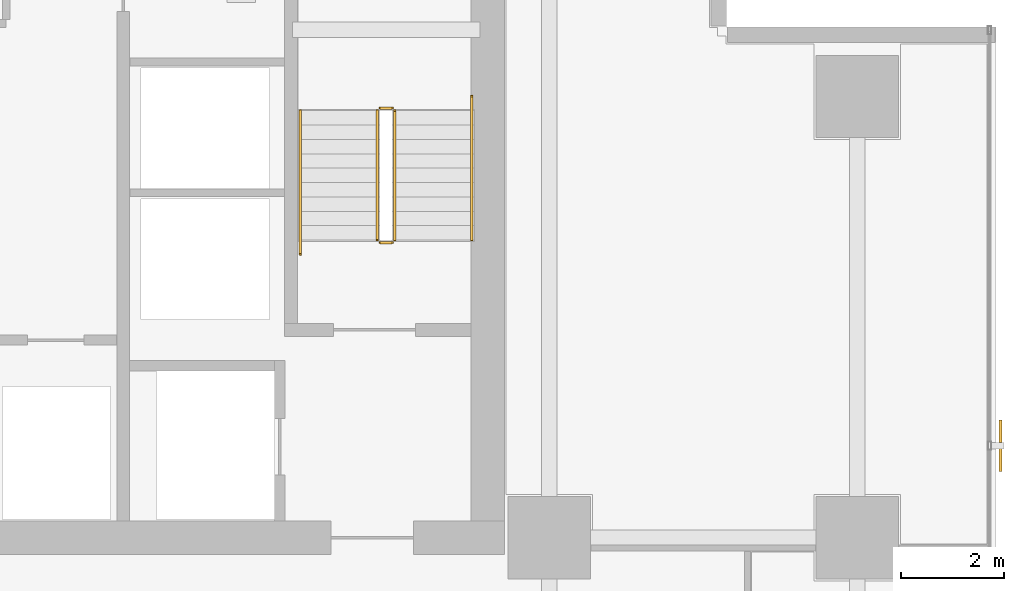
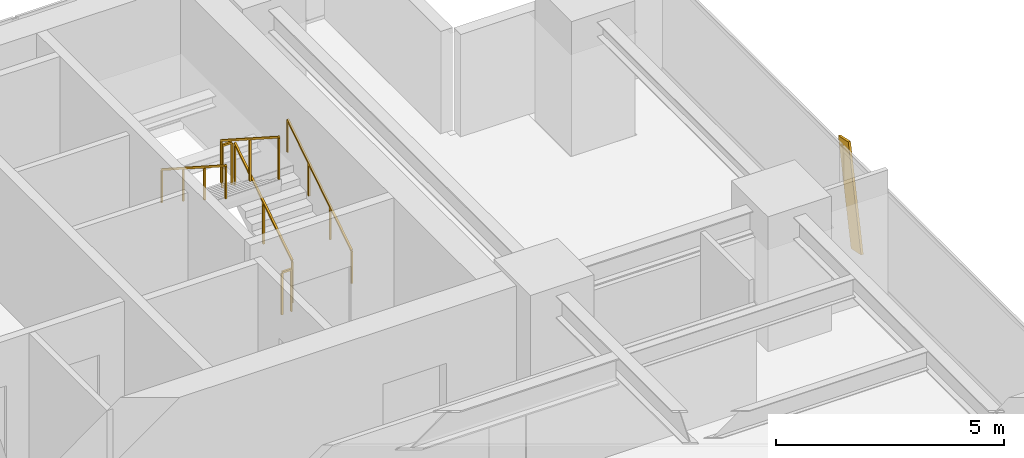
# One storey, part 36 of 37: 6 railings, 1 shading device.
"""IFC4 building model written with IfcOpenShell, lengths in metres."""

import ifcopenshell
import ifcopenshell.guid

model = None  # the IFC model being written
_history = None  # IfcOwnerHistory: only IFC2X3 demands one
_inside = {}  # id of a spatial element -> (the spatial element, [elements in it])
_under = {}  # id of a project, library or spatial element -> (it, [spatial elements below it])
_declared = {}  # id of a project -> (the project, [libraries it declares])
_typed = {}  # id of a type object -> (the type object, [elements of that type])
_made_of = {}  # id of a material, layer set ... -> (it, [elements and type objects made of it])


def new_model(schema):
    """Start an empty IFC model of exactly this schema.

    Asked for "IFC4X3", IfcOpenShell would pick the latest addendum, in which some entities
    have other attributes; the version numbers below select the first issue.
    IFC2X3 requires an IfcOwnerHistory on every rooted entity: one is made here for all.
    """
    global model, _history
    if schema == "IFC4X3":
        model = ifcopenshell.file(schema_version=(4, 3, 0, 0))
    else:
        model = ifcopenshell.file(schema=schema)
    _inside.clear()
    _under.clear()
    _declared.clear()
    _typed.clear()
    _made_of.clear()
    _history = None
    if model.schema == "IFC2X3":
        org = make("IfcOrganization", Name="unknown")
        user = make(
            "IfcPersonAndOrganization",
            ThePerson=make("IfcPerson", FamilyName="unknown"),
            TheOrganization=org,
        )
        app = make(
            "IfcApplication",
            ApplicationDeveloper=org,
            Version="unknown",
            ApplicationFullName="unknown",
            ApplicationIdentifier="unknown",
        )
        _history = make(
            "IfcOwnerHistory",
            OwningUser=user,
            OwningApplication=app,
            ChangeAction="ADDED",
            CreationDate=0,
        )
    return model


def make(cls, **values):
    """One entity of the class cls with the attributes given. An attribute that is None is left unset."""
    return model.create_entity(
        cls, **{name: value for name, value in values.items() if value is not None}
    )


def rooted(cls, **values):
    """An entity with a GlobalId (a new one), such as an element, a storey or a relation."""
    return make(cls, GlobalId=ifcopenshell.guid.new(), OwnerHistory=_history, **values)


def si_unit(unit_type, name, prefix=None):
    """IfcSIUnit, for example si_unit("LENGTHUNIT", "METRE", prefix="MILLI")."""
    return make("IfcSIUnit", UnitType=unit_type, Prefix=prefix, Name=name)


def assignment(units):
    """IfcUnitAssignment: the units of a project."""
    return None if units is None else make("IfcUnitAssignment", Units=units)


def point(xyz):
    """IfcCartesianPoint."""
    return None if xyz is None else make("IfcCartesianPoint", Coordinates=xyz)


def direction(xyz):
    """IfcDirection."""
    return None if xyz is None else make("IfcDirection", DirectionRatios=xyz)


def frame(location, z_axis=None, x_axis=None):
    """IfcAxis2Placement3D, a coordinate frame: its origin and axes. An axis left out is left unset."""
    return make(
        "IfcAxis2Placement3D",
        Location=point(location),
        Axis=direction(z_axis),
        RefDirection=direction(x_axis),
    )


def frame_2d(location, x_axis=None):
    """IfcAxis2Placement2D, a coordinate frame in the plane: its origin and x axis."""
    return make(
        "IfcAxis2Placement2D", Location=point(location), RefDirection=direction(x_axis)
    )


def origin():
    """The frame at (0, 0, 0) with its axes left unset."""
    return frame((0.0, 0.0, 0.0))


def origin_2d():
    """The frame at (0, 0) in the plane with its x axis left unset."""
    return frame_2d((0.0, 0.0))


def place(relative_to, where):
    """IfcLocalPlacement: puts the frame where relative to a parent placement (None: the world)."""
    return make(
        "IfcLocalPlacement", PlacementRelTo=relative_to, RelativePlacement=where
    )


def context(
    kind, dimensions, precision=None, world=None, true_north=None, identifier=None
):
    """IfcGeometricRepresentationContext, for example the 3D "Model" context."""
    return make(
        "IfcGeometricRepresentationContext",
        ContextIdentifier=identifier,
        ContextType=kind,
        CoordinateSpaceDimension=dimensions,
        Precision=precision,
        WorldCoordinateSystem=world,
        TrueNorth=true_north,
    )


def subcontext(parent, identifier, kind, view, scale=None):
    """IfcGeometricRepresentationSubContext, for example "Body" below "Model"."""
    return make(
        "IfcGeometricRepresentationSubContext",
        ContextIdentifier=identifier,
        ContextType=kind,
        ParentContext=parent,
        TargetScale=scale,
        TargetView=view,
    )


def project(units=None, contexts=None):
    """IfcProject with its units and contexts."""
    return rooted(
        "IfcProject",
        Name="project",
        RepresentationContexts=contexts,
        UnitsInContext=assignment(units),
    )


def spatial(cls, under=None, at=None, **own):
    """A site, building, storey or space (cls), placed at a placement, below another one or the project."""
    s = rooted(cls, ObjectPlacement=at, **own)
    if under is not None:
        _under.setdefault(under.id(), (under, []))[1].append(s)
    return s


def profile(cls, at=None, kind="AREA", **sizes):
    """A parametric profile (cls). Its sizes go by their IFC names, for example OverallWidth=200.0."""
    return make(cls, ProfileType=kind, Position=at, **sizes)


def rectangle(**sizes):
    """IfcRectangleProfileDef."""
    return profile("IfcRectangleProfileDef", **sizes)


def extrude(swept, where, along, depth):
    """IfcExtrudedAreaSolid: the profile swept, set in the frame where, extruded along a direction by depth."""
    return make(
        "IfcExtrudedAreaSolid",
        SweptArea=swept,
        Position=where,
        ExtrudedDirection=direction(along),
        Depth=depth,
    )


def shape(context_of_items, identifier, shape_type, items):
    """IfcShapeRepresentation: the items that make up one representation, for example the "Body"."""
    return make(
        "IfcShapeRepresentation",
        ContextOfItems=context_of_items,
        RepresentationIdentifier=identifier,
        RepresentationType=shape_type,
        Items=items,
    )


def source(mapping_origin, context_of_items, identifier, shape_type, items):
    """IfcRepresentationMap: a shape defined once, which mapped items show again and again."""
    return make(
        "IfcRepresentationMap",
        MappingOrigin=mapping_origin,
        MappedRepresentation=shape(context_of_items, identifier, shape_type, items),
    )


def transform(
    local_origin,
    x_axis=None,
    y_axis=None,
    z_axis=None,
    scale=None,
    scale2=None,
    scale3=None,
    uniform=True,
):
    """IfcCartesianTransformationOperator3D, or its non-uniform kind. x_axis, y_axis, z_axis: its Axis1, 2, 3."""
    if uniform:
        return make(
            "IfcCartesianTransformationOperator3D",
            Axis1=direction(x_axis),
            Axis2=direction(y_axis),
            LocalOrigin=point(local_origin),
            Scale=scale,
            Axis3=direction(z_axis),
        )
    return make(
        "IfcCartesianTransformationOperator3DnonUniform",
        Axis1=direction(x_axis),
        Axis2=direction(y_axis),
        LocalOrigin=point(local_origin),
        Scale=scale,
        Axis3=direction(z_axis),
        Scale2=scale2,
        Scale3=scale3,
    )


def mapped(mapping_source, mapping_target):
    """IfcMappedItem: shows the shape of a source again, moved by a transform."""
    return make(
        "IfcMappedItem", MappingSource=mapping_source, MappingTarget=mapping_target
    )


def material(Name=None, Category=None):
    """IfcMaterial."""
    return make("IfcMaterial", Name=Name, Category=Category)


def material_profile(
    of_material, cross_section, Name=None, Category=None, Priority=None
):
    """IfcMaterialProfile: a cross section and its material."""
    return make(
        "IfcMaterialProfile",
        Name=Name,
        Material=of_material,
        Profile=cross_section,
        Priority=Priority,
        Category=Category,
    )


def profile_set(profiles, Name=None, composite=None):
    """IfcMaterialProfileSet."""
    return make(
        "IfcMaterialProfileSet",
        Name=Name,
        MaterialProfiles=profiles,
        CompositeProfile=composite,
    )


def made_of(thing, what):
    """Note that an element or type object is made of a material, layer set ...; save() writes the relation."""
    if what is not None:
        _made_of.setdefault(what.id(), (what, []))[1].append(thing)
    return thing


def type_object(cls, material=None, **own):
    """A type object (cls), such as IfcWallType, which elements share."""
    return made_of(rooted(cls, **own), material)


def element(
    cls,
    number,
    at=None,
    inside=None,
    cuts=None,
    type_object=None,
    material=None,
    context=None,
    identifier="Body",
    shape_type=None,
    held_by="IfcProductDefinitionShape",
    body=None,
    shapes=None,
    **own,
):
    """One element of the class cls, such as IfcWall. Its Tag is "e" and its number.

    at: its placement. inside: the storey or other place that contains it. cuts: it is an
    opening in that element (IfcRelVoidsElement). A single representation is given by context,
    identifier, shape_type and body (its items); several are given by shapes. held_by: the class
    of the entity that holds the representations. save() writes the other relations.
    """
    e = rooted(cls, Tag="e%d" % number, ObjectPlacement=at, **own)
    if body is not None:
        shapes = [shape(context, identifier, shape_type, body)]
    if shapes is not None:
        e.Representation = make(held_by, Representations=shapes)
    if inside is not None:
        _inside.setdefault(inside.id(), (inside, []))[1].append(e)
    if cuts is not None:
        rooted(
            "IfcRelVoidsElement", RelatingBuildingElement=cuts, RelatedOpeningElement=e
        )
    if type_object is not None:
        _typed.setdefault(type_object.id(), (type_object, []))[1].append(e)
    return made_of(e, material)


def aggregate(whole, parts):
    """IfcRelAggregates: a whole, such as a stair, and the parts it consists of."""
    return rooted("IfcRelAggregates", RelatingObject=whole, RelatedObjects=parts)


def save(model, path):
    """Write the relations noted so far, then the file.

    IfcRelAggregates (storeys below a building ...), IfcRelContainedInSpatialStructure (elements
    in a storey), IfcRelDefinesByType, IfcRelAssociatesMaterial and IfcRelDeclares: one each for
    every whole, place, type object, material and project.
    """
    for whole, parts in _under.values():
        aggregate(whole, parts)
    for where, things in _inside.values():
        rooted(
            "IfcRelContainedInSpatialStructure",
            RelatedElements=things,
            RelatingStructure=where,
        )
    for kind, things in _typed.values():
        rooted("IfcRelDefinesByType", RelatedObjects=things, RelatingType=kind)
    for what, things in _made_of.values():
        rooted("IfcRelAssociatesMaterial", RelatedObjects=things, RelatingMaterial=what)
    for by, libraries in _declared.values():
        rooted("IfcRelDeclares", RelatingContext=by, RelatedDefinitions=libraries)
    model.write(path)


model = new_model("IFC4")

# Units and contexts
model_context = context("Model", 3, precision=1e-05, world=origin(), true_north=direction((0.0, 1.0)))
body_context = subcontext(model_context, "Body", "Model", "MODEL_VIEW")
ifc_project = project(units=[si_unit("LENGTHUNIT", "METRE"), si_unit("AREAUNIT", "SQUARE_METRE"), si_unit("VOLUMEUNIT", "CUBIC_METRE"), si_unit("PLANEANGLEUNIT", "RADIAN"), si_unit("MASSUNIT", "GRAM", prefix="KILO")], contexts=[model_context])

# Site, building, storey
site_placement = place(None, origin())
site = spatial("IfcSite", under=ifc_project, at=site_placement, CompositionType="ELEMENT")
building_placement = place(site_placement, origin())
building = spatial("IfcBuilding", under=site, at=building_placement, Name="Sumidabori Civic Tower", CompositionType="ELEMENT")
storey_placement = place(building_placement, frame((0.0, 0.0, 88.39990234375)))
storey = spatial("IfcBuildingStorey", under=building, at=storey_placement, Name="L22", CompositionType="ELEMENT", Elevation=88.39990234375)

# Railings
ifc_material_1 = material(Name="Stainless Steel Hairline Finish", Category="steel")
railing_type_1 = type_object("IfcRailingType", Name="RL-HANDRAIL", PredefinedType="HANDRAIL", material=ifc_material_1)
railing_1_placement = place(storey_placement, frame((15.2900390625, 16.0, 0.18017578125)))
element("IfcRailing", 1, at=railing_1_placement, inside=storey, type_object=railing_type_1, Name="L22 ST-2 stair handrail 1", PredefinedType="HANDRAIL", context=body_context, shape_type="SweptSolid", body=[
    extrude(rectangle(XDim=0.048095703125, YDim=0.048095703125, at=origin_2d()), frame((0.0, 0.0, 0.8759765625), z_axis=(0.0, 0.840675598268, 0.541539046124), x_axis=(-1.0, 0.0, 0.0)), (0.0, 0.0, 1.0), 3.330810546875),
    extrude(rectangle(XDim=0.0419921875, YDim=0.0419921875, at=origin_2d()), origin(), (0.0, 0.0, 1.0), 0.851806640625),
    extrude(rectangle(XDim=0.0419921875, YDim=0.0419921875, at=origin_2d()), frame((0.0, 0.933349609375, 0.601318359375)), (0.0, 0.0, 1.0), 0.851806640625),
    extrude(rectangle(XDim=0.0419921875, YDim=0.0419921875, at=origin_2d()), frame((0.0, 1.86669921875, 1.202392578125)), (0.0, 0.0, 1.0), 0.851806640625),
    extrude(rectangle(XDim=0.0419921875, YDim=0.0419921875, at=origin_2d()), frame((0.0, 2.800048828125, 1.8037109375)), (0.0, 0.0, 1.0), 0.851806640625),
])
railing_2_placement = place(storey_placement, frame((11.949951171875, 18.52001953125, 1.97998046875)))
element("IfcRailing", 2, at=railing_2_placement, inside=storey, type_object=railing_type_1, Name="L22 ST-2 stair handrail 2", PredefinedType="HANDRAIL", context=body_context, shape_type="SweptSolid", body=[
    extrude(rectangle(XDim=0.048095703125, YDim=0.048095703125, at=origin_2d()), frame((0.0, 0.0, 0.8759765625), z_axis=(0.0, -0.84064222762, 0.54159084662), x_axis=(1.0, 0.0, 0.0)), (0.0, 0.0, 1.0), 3.330810546875),
    extrude(rectangle(XDim=0.0419921875, YDim=0.0419921875, at=origin_2d()), origin(), (0.0, 0.0, 1.0), 0.851806640625),
    extrude(rectangle(XDim=0.0419921875, YDim=0.0419921875, at=origin_2d()), frame((0.0, -0.933349609375, 0.601318359375)), (0.0, 0.0, 1.0), 0.851806640625),
    extrude(rectangle(XDim=0.0419921875, YDim=0.0419921875, at=origin_2d()), frame((0.0, -1.86669921875, 1.20263671875)), (0.0, 0.0, 1.0), 0.851806640625),
    extrude(rectangle(XDim=0.0419921875, YDim=0.0419921875, at=origin_2d()), frame((0.0, -2.800048828125, 1.803955078125)), (0.0, 0.0, 1.0), 0.851806640625),
])
ifc_material_2 = material(Name="Steel SN490", Category="steel")
railing_type_2 = type_object("IfcRailingType", Name="RL-STAIR-GUARD", PredefinedType="GUARDRAIL", material=ifc_material_2)
railing_3_placement = place(storey_placement, frame((13.7900390625, 16.0, 0.18017578125)))
element("IfcRailing", 3, at=railing_3_placement, inside=storey, type_object=railing_type_2, Name="L22 ST-2 stair guard 1", PredefinedType="GUARDRAIL", context=body_context, shape_type="SweptSolid", body=[
    extrude(rectangle(XDim=0.048095703125, YDim=0.048095703125, at=origin_2d()), frame((0.0, 0.0, 1.1259765625), z_axis=(0.0, 0.841199657755, 0.540724639528), x_axis=(-1.0, 0.0, 0.0)), (0.0, 0.0, 1.0), 2.995849609375),
    extrude(rectangle(XDim=0.0419921875, YDim=0.0419921875, at=origin_2d()), origin(), (0.0, 0.0, 1.0), 1.101806640625),
    extrude(rectangle(XDim=0.0419921875, YDim=0.0419921875, at=origin_2d()), frame((0.0, 1.260009765625, 0.81005859375)), (0.0, 0.0, 1.0), 1.101806640625),
    extrude(rectangle(XDim=0.0419921875, YDim=0.0419921875, at=origin_2d()), frame((0.0, 2.52001953125, 1.619873046875)), (0.0, 0.0, 1.0), 1.101806640625),
])
railing_4_placement = place(storey_placement, frame((13.739990234375, 18.570068359375, 1.800048828125)))
element("IfcRailing", 4, at=railing_4_placement, inside=storey, type_object=railing_type_2, Name="L22 ST-2 stair guard 2", PredefinedType="GUARDRAIL", context=body_context, shape_type="SweptSolid", body=[
    extrude(rectangle(XDim=0.048095703125, YDim=0.048095703125, at=origin_2d()), frame((0.0, 0.0, 1.1259765625), z_axis=(-1.0, 0.0, 0.0), x_axis=(0.0, -1.0, 0.0)), (0.0, 0.0, 1.0), 0.239990234375),
    extrude(rectangle(XDim=0.0419921875, YDim=0.0419921875, at=origin_2d()), origin(), (0.0, 0.0, 1.0), 1.101806640625),
    extrude(rectangle(XDim=0.0419921875, YDim=0.0419921875, at=origin_2d()), frame((-0.239990234375, 0.0, 0.0)), (0.0, 0.0, 1.0), 1.101806640625),
])
railing_5_placement = place(storey_placement, frame((13.449951171875, 18.52001953125, 1.97998046875)))
element("IfcRailing", 5, at=railing_5_placement, inside=storey, type_object=railing_type_2, Name="L22 ST-2 stair guard 3", PredefinedType="GUARDRAIL", context=body_context, shape_type="SweptSolid", body=[
    extrude(rectangle(XDim=0.048095703125, YDim=0.048095703125, at=origin_2d()), frame((0.0, 0.0, 1.1259765625), z_axis=(0.0, -0.841162588446, 0.540782303519), x_axis=(1.0, 0.0, 0.0)), (0.0, 0.0, 1.0), 2.995849609375),
    extrude(rectangle(XDim=0.0419921875, YDim=0.0419921875, at=origin_2d()), origin(), (0.0, 0.0, 1.0), 1.101806640625),
    extrude(rectangle(XDim=0.0419921875, YDim=0.0419921875, at=origin_2d()), frame((0.0, -1.260009765625, 0.81005859375)), (0.0, 0.0, 1.0), 1.101806640625),
    extrude(rectangle(XDim=0.0419921875, YDim=0.0419921875, at=origin_2d()), frame((0.0, -2.52001953125, 1.6201171875)), (0.0, 0.0, 1.0), 1.101806640625),
])
railing_6_placement = place(storey_placement, frame((13.739990234375, 15.949951171875, 0.0)))
element("IfcRailing", 6, at=railing_6_placement, inside=storey, type_object=railing_type_2, Name="L22 ST-2 stair guard 4", PredefinedType="GUARDRAIL", context=body_context, shape_type="SweptSolid", body=[
    extrude(rectangle(XDim=0.048095703125, YDim=0.048095703125, at=origin_2d()), frame((0.0, 0.0, 1.1259765625), z_axis=(-1.0, 0.0, 0.0), x_axis=(0.0, -1.0, 0.0)), (0.0, 0.0, 1.0), 0.239990234375),
    extrude(rectangle(XDim=0.0419921875, YDim=0.0419921875, at=origin_2d()), origin(), (0.0, 0.0, 1.0), 1.101806640625),
    extrude(rectangle(XDim=0.0419921875, YDim=0.0419921875, at=origin_2d()), frame((-0.239990234375, 0.0, 0.0)), (0.0, 0.0, 1.0), 1.101806640625),
])

# Shading device
ifc_material_3 = material(Name="Anodised Bronze Aluminium AW-6063-T6", Category="aluminium")
ifc_material_profile = material_profile(ifc_material_3, rectangle(XDim=0.06005859375, YDim=0.449951171875, at=origin_2d()), Name="BRONZE FIN 450x60")
ifc_profile_set = profile_set([ifc_material_profile], Name="Anodised Bronze Aluminium AW-6063-T6")
shading_device_type = type_object("IfcShadingDeviceType", Name="SH-FIN-450", PredefinedType="USERDEFINED", material=ifc_profile_set)
shared_shape = source(origin(), body_context, "Body", "SweptSolid", [
    extrude(rectangle(XDim=0.06005859375, YDim=0.449951171875, at=origin_2d()), origin(), (0.0, 0.0, 1.0), 2.738037109375),
])
shading_device_placement = place(storey_placement, frame((25.590087890625, 11.7119140625, 0.02001953125), z_axis=(0.0, 0.204545289674, 0.97885710115), x_axis=(-1.0, 0.0, 0.0)))
element("IfcShadingDevice", 7, at=shading_device_placement, inside=storey, type_object=shading_device_type, Name="Bronze Anodised Diagonal Fin L22-04", ObjectType="FIN", PredefinedType="USERDEFINED", context=body_context, shape_type="MappedRepresentation", body=[
    mapped(shared_shape, transform((0.0, 0.0, 0.0), x_axis=(1.0, 0.0, 0.0), y_axis=(0.0, 1.0, 0.0), z_axis=(0.0, 0.0, 1.0), scale=1.0)),
])

save(model, "model.ifc")
